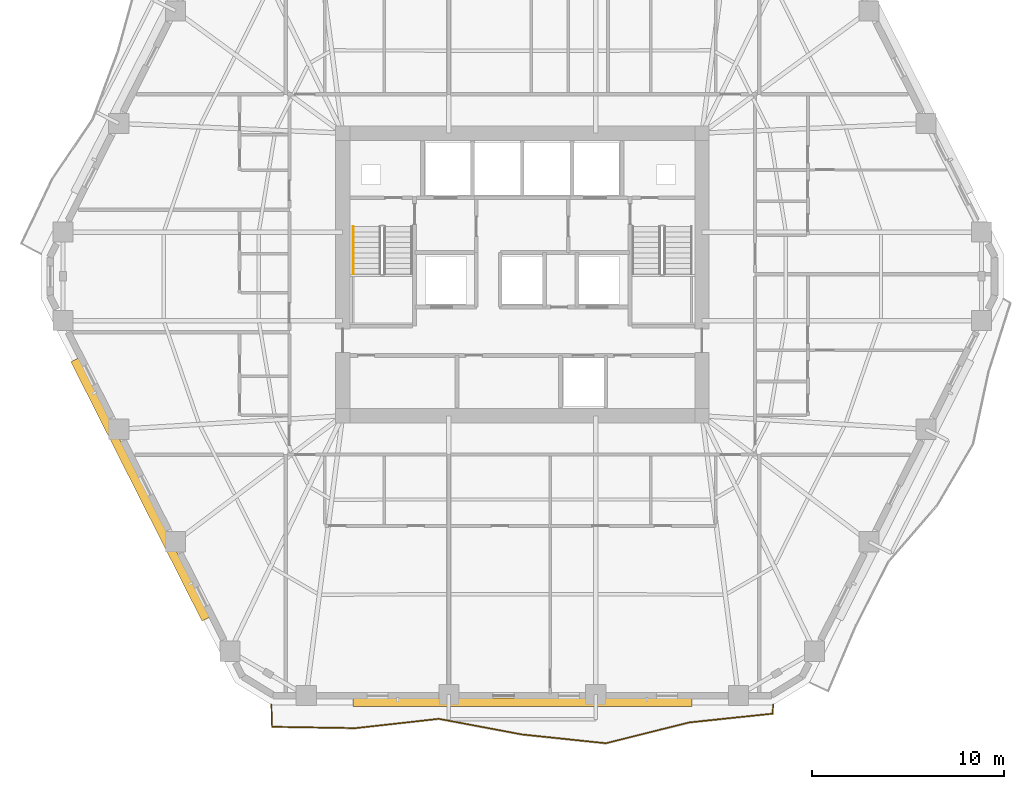
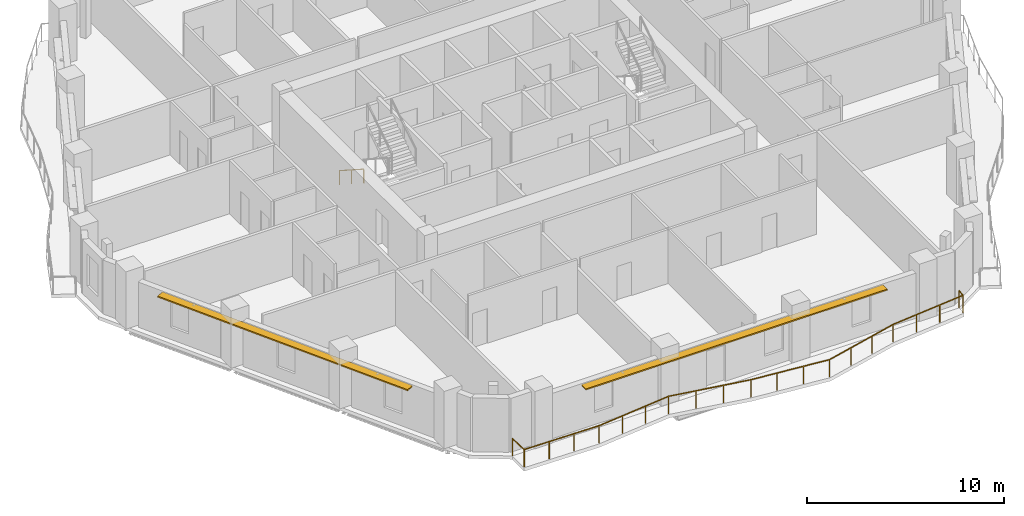
# One storey, part 10 of 12: 2 railings, 2 shading devices.
"""IFC4 building model written with IfcOpenShell, lengths in metres."""

from ifc_helpers import new_model, si_unit, direction, frame, origin, origin_2d, place, context, subcontext, project, spatial, rectangle, extrude, material, layer, layer_set, type_object, element, save


model = new_model("IFC4")

# Units and contexts
model_context = context("Model", 3, precision=1e-05, world=origin(), true_north=direction((0.0, 1.0)))
body_context = subcontext(model_context, "Body", "Model", "MODEL_VIEW")
ifc_project = project(units=[si_unit("LENGTHUNIT", "METRE"), si_unit("AREAUNIT", "SQUARE_METRE"), si_unit("VOLUMEUNIT", "CUBIC_METRE"), si_unit("PLANEANGLEUNIT", "RADIAN"), si_unit("MASSUNIT", "GRAM", prefix="KILO")], contexts=[model_context])

# Site, building, storey
site_placement = place(None, origin())
site = spatial("IfcSite", under=ifc_project, at=site_placement, CompositionType="ELEMENT")
building_placement = place(site_placement, origin())
building = spatial("IfcBuilding", under=site, at=building_placement, Name="Cinnabar Lancet Tower", CompositionType="ELEMENT")
storey_placement = place(building_placement, frame((0.0, 0.0, 137.449951171875)))
storey = spatial("IfcBuildingStorey", under=building, at=storey_placement, Name="L36", CompositionType="ELEMENT", Elevation=137.449951171875)

# Railing
ifc_material_1 = material(Name="Laminated safety glass and bronze stainless steel balustrade", Category="steel")
railing_type_1 = type_object("IfcRailingType", Name="ENV-RLG-BAL-1100", PredefinedType="BALUSTRADE", material=ifc_material_1)
railing_1_placement = place(storey_placement, frame((19.30810546875, 3.449951171875, 0.0)))
element("IfcRailing", 1, at=railing_1_placement, inside=storey, type_object=railing_type_1, Name="L36 Face 1 Wave Balcony Balustrade", PredefinedType="BALUSTRADE", context=body_context, shape_type="SweptSolid", body=[
    extrude(rectangle(XDim=0.048095703125, YDim=0.048095703125, at=origin_2d()), frame((0.0, 0.0, 1.076171875), z_axis=(0.029599296215, -0.999561844842, 0.0), x_axis=(0.999561844842, 0.029599296215, 0.0)), (0.0, 0.0, 1.0), 1.146484375),
    extrude(rectangle(XDim=0.048095703125, YDim=0.048095703125, at=origin_2d()), frame((0.033935546875, -1.14599609375, 1.076171875), z_axis=(0.999866901934, -0.016314975242, 0.0), x_axis=(0.016314975242, 0.999866901934, 0.0)), (0.0, 0.0, 1.0), 4.3544921875),
    extrude(rectangle(XDim=0.048095703125, YDim=0.048095703125, at=origin_2d()), frame((4.387939453125, -1.217041015625, 1.076171875), z_axis=(0.993798474896, 0.111196183815, 0.0), x_axis=(-0.111196183815, 0.993798474896, 0.0)), (0.0, 0.0, 1.0), 4.380126953125),
    extrude(rectangle(XDim=0.048095703125, YDim=0.048095703125, at=origin_2d()), frame((8.740966796875, -0.72998046875, 1.076171875), z_axis=(0.98278655017, -0.184744680044, 0.0), x_axis=(0.184744680044, 0.98278655017, 0.0)), (0.0, 0.0, 1.0), 4.427001953125),
    extrude(rectangle(XDim=0.048095703125, YDim=0.048095703125, at=origin_2d()), frame((13.091796875, -1.5478515625, 1.076171875), z_axis=(0.994577366302, -0.103999338651, 0.0), x_axis=(0.103999338651, 0.994577366302, 0.0)), (0.0, 0.0, 1.0), 4.375732421875),
    extrude(rectangle(XDim=0.048095703125, YDim=0.048095703125, at=origin_2d()), frame((17.44384765625, -2.0029296875, 1.076171875), z_axis=(0.970289638521, 0.241946310941, 0.0), x_axis=(-0.241946310941, 0.970289638521, 0.0)), (0.0, 0.0, 1.0), 4.484375),
    extrude(rectangle(XDim=0.048095703125, YDim=0.048095703125, at=origin_2d()), frame((21.794921875, -0.91796875, 1.076171875), z_axis=(0.994535967424, 0.104394489796, 0.0), x_axis=(-0.104394489796, 0.994535967424, 0.0)), (0.0, 0.0, 1.0), 4.3779296875),
    extrude(rectangle(XDim=0.048095703125, YDim=0.048095703125, at=origin_2d()), frame((26.14892578125, -0.4609375, 1.076171875), z_axis=(0.075525199556, 0.997143893444, 0.0), x_axis=(-0.997143893444, 0.075525199556, 0.0)), (0.0, 0.0, 1.0), 0.462158203125),
    extrude(rectangle(XDim=0.0419921875, YDim=0.0419921875, at=origin_2d()), origin(), (0.0, 0.0, 1.0), 1.052001953125),
    extrude(rectangle(XDim=0.0419921875, YDim=0.0419921875, at=origin_2d()), frame((0.033935546875, -1.14599609375, 0.0)), (0.0, 0.0, 1.0), 1.052001953125),
    extrude(rectangle(XDim=0.0419921875, YDim=0.0419921875, at=origin_2d()), frame((1.4853515625, -1.169677734375, 0.0)), (0.0, 0.0, 1.0), 1.052001953125),
    extrude(rectangle(XDim=0.0419921875, YDim=0.0419921875, at=origin_2d()), frame((2.9365234375, -1.193359375, 0.0)), (0.0, 0.0, 1.0), 1.052001953125),
    extrude(rectangle(XDim=0.0419921875, YDim=0.0419921875, at=origin_2d()), frame((4.387939453125, -1.217041015625, 0.0)), (0.0, 0.0, 1.0), 1.052001953125),
    extrude(rectangle(XDim=0.0419921875, YDim=0.0419921875, at=origin_2d()), frame((5.8388671875, -1.0546875, 0.0)), (0.0, 0.0, 1.0), 1.052001953125),
    extrude(rectangle(XDim=0.0419921875, YDim=0.0419921875, at=origin_2d()), frame((7.2900390625, -0.892333984375, 0.0)), (0.0, 0.0, 1.0), 1.052001953125),
    extrude(rectangle(XDim=0.0419921875, YDim=0.0419921875, at=origin_2d()), frame((8.740966796875, -0.72998046875, 0.0)), (0.0, 0.0, 1.0), 1.052001953125),
    extrude(rectangle(XDim=0.0419921875, YDim=0.0419921875, at=origin_2d()), frame((10.191162109375, -1.002685546875, 0.0)), (0.0, 0.0, 1.0), 1.052001953125),
    extrude(rectangle(XDim=0.0419921875, YDim=0.0419921875, at=origin_2d()), frame((11.6416015625, -1.275146484375, 0.0)), (0.0, 0.0, 1.0), 1.052001953125),
    extrude(rectangle(XDim=0.0419921875, YDim=0.0419921875, at=origin_2d()), frame((13.091796875, -1.5478515625, 0.0)), (0.0, 0.0, 1.0), 1.052001953125),
    extrude(rectangle(XDim=0.0419921875, YDim=0.0419921875, at=origin_2d()), frame((14.54248046875, -1.699462890625, 0.0)), (0.0, 0.0, 1.0), 1.052001953125),
    extrude(rectangle(XDim=0.0419921875, YDim=0.0419921875, at=origin_2d()), frame((15.9931640625, -1.851318359375, 0.0)), (0.0, 0.0, 1.0), 1.052001953125),
    extrude(rectangle(XDim=0.0419921875, YDim=0.0419921875, at=origin_2d()), frame((17.44384765625, -2.0029296875, 0.0)), (0.0, 0.0, 1.0), 1.052001953125),
    extrude(rectangle(XDim=0.0419921875, YDim=0.0419921875, at=origin_2d()), frame((18.894287109375, -1.641357421875, 0.0)), (0.0, 0.0, 1.0), 1.052001953125),
    extrude(rectangle(XDim=0.0419921875, YDim=0.0419921875, at=origin_2d()), frame((20.344482421875, -1.279541015625, 0.0)), (0.0, 0.0, 1.0), 1.052001953125),
    extrude(rectangle(XDim=0.0419921875, YDim=0.0419921875, at=origin_2d()), frame((21.794921875, -0.91796875, 0.0)), (0.0, 0.0, 1.0), 1.052001953125),
    extrude(rectangle(XDim=0.0419921875, YDim=0.0419921875, at=origin_2d()), frame((23.246337890625, -0.765625, 0.0)), (0.0, 0.0, 1.0), 1.052001953125),
    extrude(rectangle(XDim=0.0419921875, YDim=0.0419921875, at=origin_2d()), frame((24.697509765625, -0.61328125, 0.0)), (0.0, 0.0, 1.0), 1.052001953125),
    extrude(rectangle(XDim=0.0419921875, YDim=0.0419921875, at=origin_2d()), frame((26.14892578125, -0.4609375, 0.0)), (0.0, 0.0, 1.0), 1.052001953125),
    extrude(rectangle(XDim=0.0419921875, YDim=0.0419921875, at=origin_2d()), frame((26.183837890625, 0.0, 0.0)), (0.0, 0.0, 1.0), 1.052001953125),
])

# Shading devices
ifc_material_2 = material(Name="Pale limestone architectural aluminium sunshade", Category="masonry")
ifc_layer = layer(ifc_material_2, 0.080078125)
ifc_layer_set = layer_set([ifc_layer], Name="Pale limestone architectural aluminium sunshade")
shading_device_type = type_object("IfcShadingDeviceType", Name="ENV-SHD-LVR-450", PredefinedType="JALOUSIE", material=ifc_layer_set)
shading_device_1_placement = place(storey_placement, frame((32.39990234375, 3.580078125, 2.639892578125), z_axis=(0.0, 0.0, 1.0), x_axis=(1.0, 0.0, 0.0)))
element("IfcShadingDevice", 2, at=shading_device_1_placement, inside=storey, type_object=shading_device_type, Name="L36 Face 1 Horizontal Sunshade Canopy", PredefinedType="JALOUSIE", context=body_context, shape_type="SweptSolid", body=[
    extrude(rectangle(XDim=17.68310546875, YDim=0.449951171875, at=origin_2d()), origin(), (0.0, 0.0, 1.0), 0.080078125),
])
shading_device_2_placement = place(storey_placement, frame((12.471923828125, 14.680908203125, 2.639892578125), z_axis=(0.0, 0.0, 1.0), x_axis=(0.451453853408, -0.892294468347, 0.0)))
element("IfcShadingDevice", 3, at=shading_device_2_placement, inside=storey, type_object=shading_device_type, Name="L36 Face 6 Horizontal Sunshade Canopy", PredefinedType="JALOUSIE", context=body_context, shape_type="SweptSolid", body=[
    extrude(rectangle(XDim=15.156982421875, YDim=0.449951171875, at=origin_2d()), origin(), (0.0, 0.0, 1.0), 0.080078125),
])

# Railing
ifc_material_3 = material(Name="Brushed stainless steel handrail", Category="steel")
railing_type_2 = type_object("IfcRailingType", Name="HANDRAIL-STAIR", PredefinedType="HANDRAIL", material=ifc_material_3)
railing_2_placement = place(storey_placement, frame((23.574951171875, 28.39990234375, 0.177490234375)))
element("IfcRailing", 4, at=railing_2_placement, inside=storey, type_object=railing_type_2, Name="L36 ST-1 stair handrail 1", PredefinedType="HANDRAIL", context=body_context, shape_type="SweptSolid", body=[
    extrude(rectangle(XDim=0.048095703125, YDim=0.048095703125, at=origin_2d()), frame((0.0, 0.0, 0.8759765625), z_axis=(0.0, -0.84014559416, 0.542360932049), x_axis=(1.0, 0.0, 0.0)), (0.0, 0.0, 1.0), 2.94580078125),
    extrude(rectangle(XDim=0.0419921875, YDim=0.0419921875, at=origin_2d()), origin(), (0.0, 0.0, 1.0), 0.851806640625),
    extrude(rectangle(XDim=0.0419921875, YDim=0.0419921875, at=origin_2d()), frame((0.0, -1.2373046875, 0.798828125)), (0.0, 0.0, 1.0), 0.851806640625),
    extrude(rectangle(XDim=0.0419921875, YDim=0.0419921875, at=origin_2d()), frame((0.0, -2.474853515625, 1.59765625)), (0.0, 0.0, 1.0), 0.851806640625),
])

save(model, "model.ifc")
